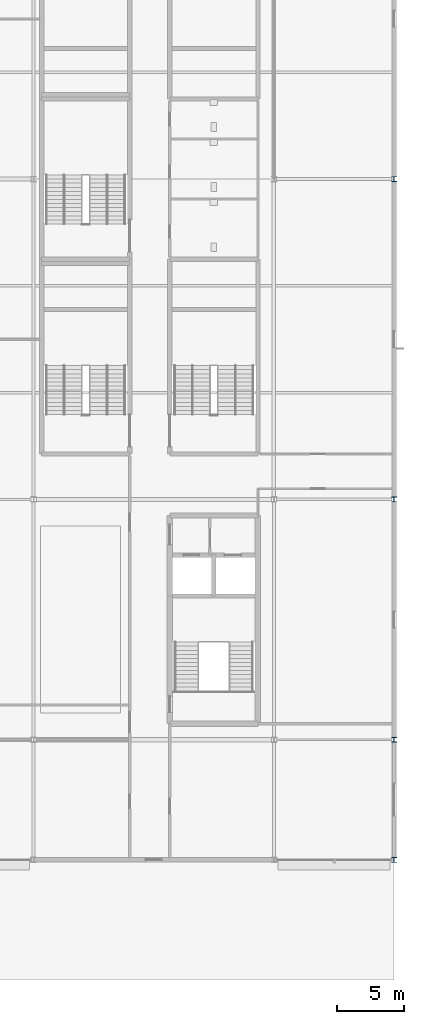
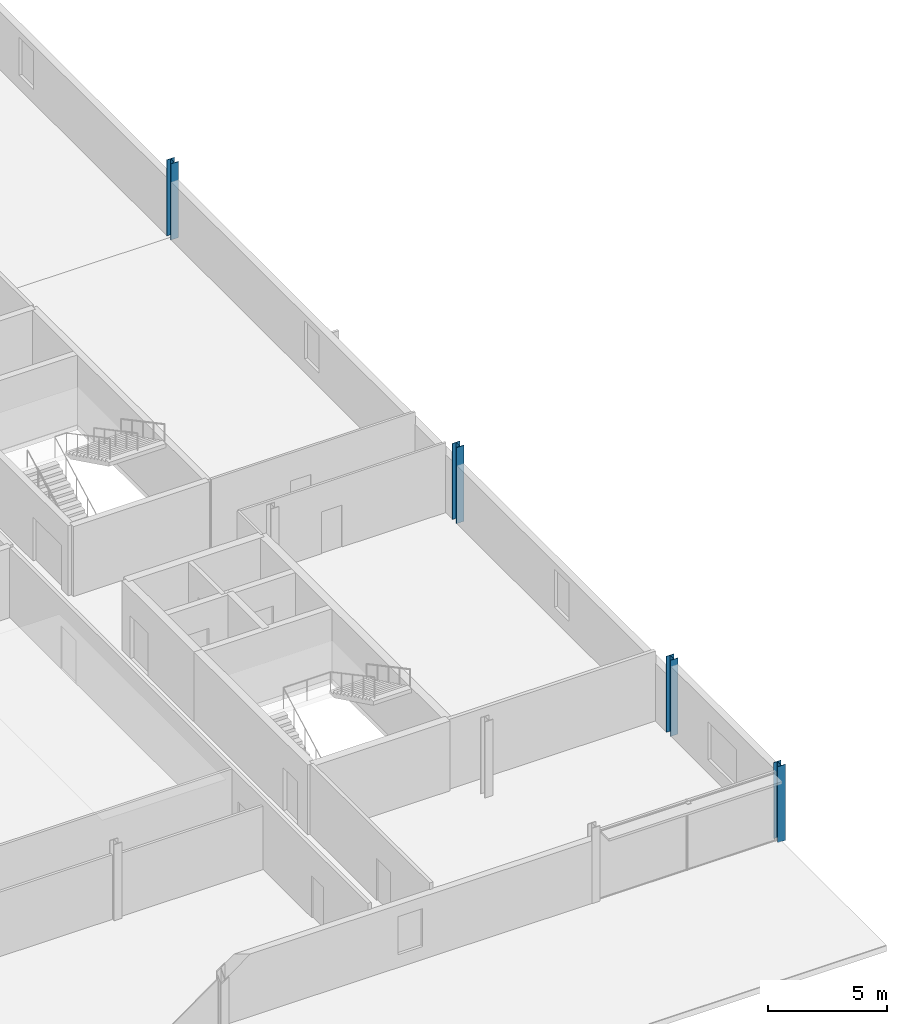
# One storey, part 13 of 105: 4 columns.
"""IFC4 building model written with IfcOpenShell, lengths in metres."""

from ifc_helpers import new_model, si_unit, direction, frame, origin, origin_2d, place, context, subcontext, project, spatial, i_section, extrude, material, material_profile, profile_set, type_object, element, save


model = new_model("IFC4")

# Units and contexts
model_context = context("Model", 3, precision=1e-05, world=origin(), true_north=direction((0.0, 1.0)))
body_context = subcontext(model_context, "Body", "Model", "MODEL_VIEW")
ifc_project = project(units=[si_unit("LENGTHUNIT", "METRE"), si_unit("AREAUNIT", "SQUARE_METRE"), si_unit("VOLUMEUNIT", "CUBIC_METRE"), si_unit("PLANEANGLEUNIT", "RADIAN"), si_unit("MASSUNIT", "GRAM", prefix="KILO")], contexts=[model_context])

# Site, building, storey
site_placement = place(None, origin())
site = spatial("IfcSite", under=ifc_project, at=site_placement, CompositionType="ELEMENT")
building_placement = place(site_placement, origin())
building = spatial("IfcBuilding", under=site, at=building_placement, Name="Kisiwana Market Hall", CompositionType="ELEMENT")
storey_placement = place(building_placement, frame((0.0, 0.0, 21.60009765625)))
storey = spatial("IfcBuildingStorey", under=building, at=storey_placement, Name="L04", CompositionType="ELEMENT", Elevation=21.60009765625)

# Columns
ifc_material = material(Name="Steel S355", Category="steel")
ifc_material_profile = material_profile(ifc_material, i_section(OverallWidth=0.37255859375, OverallDepth=0.3681640625, WebThickness=0.014404296875, FlangeThickness=0.023681640625, FilletRadius=0.01513671875, at=origin_2d()), Name="UC 356x368x177")
ifc_profile_set = profile_set([ifc_material_profile], Name="Steel S355")
column_type = type_object("IfcColumnType", Name="COL-STL-UC177", PredefinedType="COLUMN", material=ifc_profile_set)
for number, where, z_axis, x_axis, name in (
    (1, (198.0, 9.0, 0.0), (0.0, 0.0, 1.0), (1.0, 0.0, 0.0), "Column B/23 (L04) C-0871"),
    (2, (198.0, 18.0, 0.0), (0.0, 0.0, 1.0), (1.0, 0.0, 0.0), "Column C/23 (L04) C-0872"),
    (3, (198.0, 36.0, 0.0), (0.0, 0.0, 1.0), (1.0, 0.0, 0.0), "Column E/23 (L04) C-0873"),
    (4, (198.0, 60.0, 0.0), (0.0, 0.0, 1.0), (1.0, 0.0, 0.0), "Column H/23 (L04) C-0874"),
):
    element("IfcColumn", number, at=place(storey_placement, frame(where, z_axis=z_axis, x_axis=x_axis)), inside=storey, type_object=column_type, Name=name, PredefinedType="COLUMN", context=body_context, shape_type="SweptSolid", body=[
        extrude(i_section(OverallWidth=0.37255859375, OverallDepth=0.3681640625, WebThickness=0.014404296875, FlangeThickness=0.023681640625, FilletRadius=0.01513671875, at=origin_2d()), origin(), (0.0, 0.0, 1.0), 3.89990234375),
    ])

save(model, "model.ifc")
